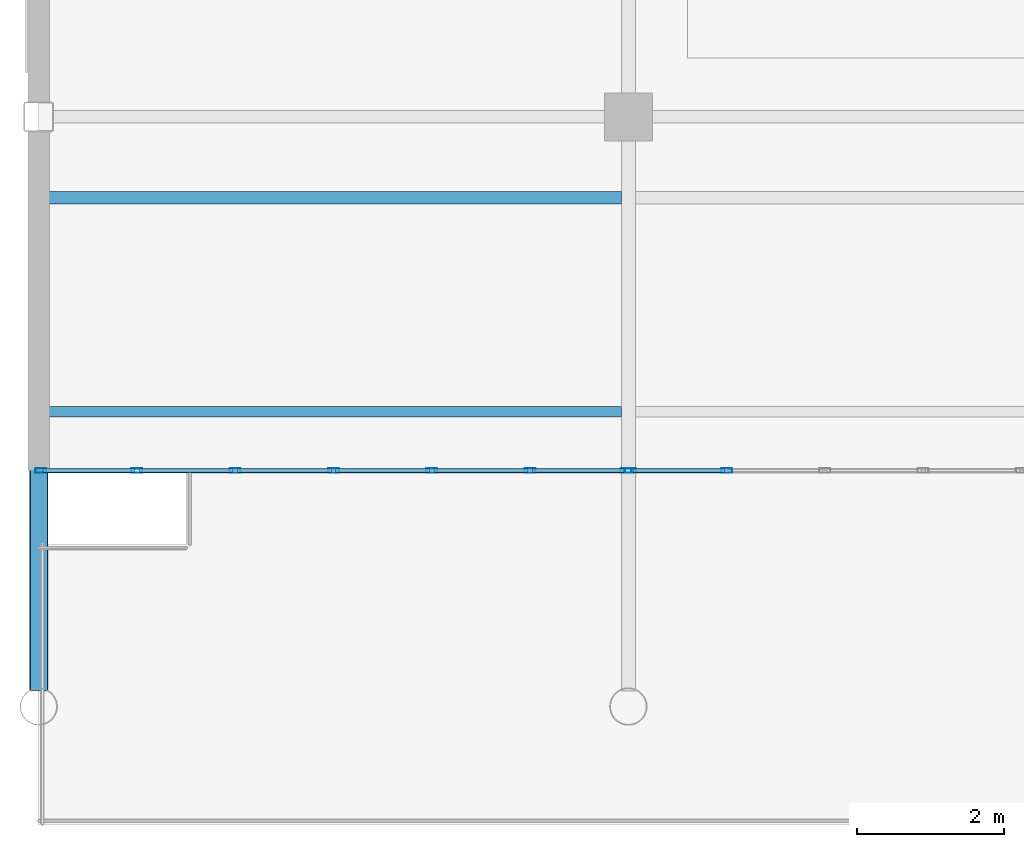
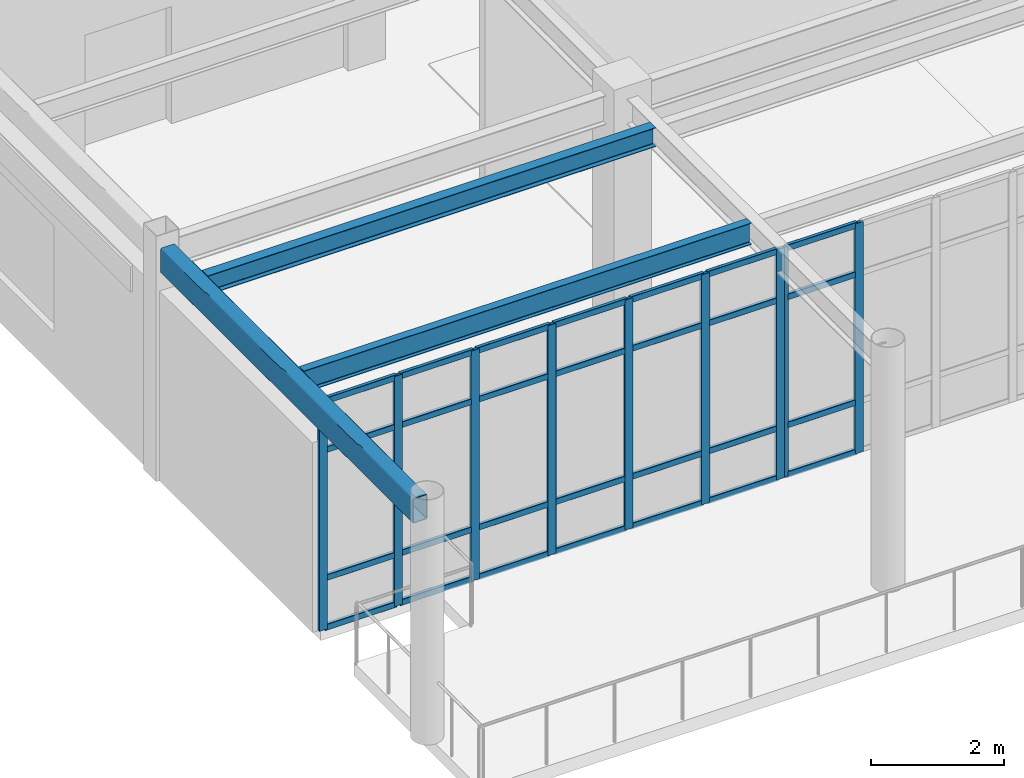
# One storey, part 32 of 75: 37 members, 3 beams, 2 elements without a shape of their own.
"""IFC4 building model written with IfcOpenShell, lengths in metres."""

from ifc_helpers import new_model, si_unit, direction, frame, origin, origin_2d, place, context, subcontext, project, spatial, hollow_rectangle, i_section, extrude, material, material_profile, profile_set, type_object, element, aggregate, save


model = new_model("IFC4")

# Units and contexts
model_context = context("Model", 3, precision=1e-05, world=origin(), true_north=direction((0.0, 1.0)))
body_context = subcontext(model_context, "Body", "Model", "MODEL_VIEW")
ifc_project = project(units=[si_unit("LENGTHUNIT", "METRE"), si_unit("AREAUNIT", "SQUARE_METRE"), si_unit("VOLUMEUNIT", "CUBIC_METRE"), si_unit("PLANEANGLEUNIT", "RADIAN"), si_unit("MASSUNIT", "GRAM", prefix="KILO")], contexts=[model_context])

# Site, building, storey
site_placement = place(None, origin())
site = spatial("IfcSite", under=ifc_project, at=site_placement, CompositionType="ELEMENT")
building_placement = place(site_placement, origin())
building = spatial("IfcBuilding", under=site, at=building_placement, Name="Solmirada Galleria", CompositionType="ELEMENT")
storey_placement = place(building_placement, frame((0.0, 0.0, 19.39990234375)))
storey = spatial("IfcBuildingStorey", under=building, at=storey_placement, Name="L04", CompositionType="ELEMENT", Elevation=19.39990234375)

# Beams
ifc_material_1 = material(Name="Steel S355 / ASTM A992 Grade 50", Category="steel")
ifc_material_profile_1 = material_profile(ifc_material_1, i_section(OverallWidth=0.1708984375, OverallDepth=0.35205078125, WebThickness=0.0068359375, FlangeThickness=0.009765625, FilletRadius=0.010986328125, at=origin_2d()), Name="W14X30")
ifc_profile_set_1 = profile_set([ifc_material_profile_1], Name="Steel S355 / ASTM A992 Grade 50")
beam_type_1 = type_object("IfcBeamType", Name="BM-JST-W14B", PredefinedType="JOIST", material=ifc_profile_set_1)
beam_1_placement = place(storey_placement, frame((40.126953125, 94.89990234375, 4.083984375), z_axis=(1.0, 0.0, 0.0), x_axis=(0.0, 1.0, 0.0)))
element("IfcBeam", 1, at=beam_1_placement, inside=storey, type_object=beam_type_1, Name="Terrace deck joist L05-TERR-NW X=40..48 (2)", PredefinedType="JOIST", context=body_context, shape_type="SweptSolid", body=[
    extrude(i_section(OverallWidth=0.1708984375, OverallDepth=0.35205078125, WebThickness=0.0068359375, FlangeThickness=0.009765625, FilletRadius=0.010986328125, at=origin_2d()), origin(), (0.0, 0.0, 1.0), 7.776611328125),
])
ifc_material_profile_2 = material_profile(ifc_material_1, i_section(OverallWidth=0.139892578125, OverallDepth=0.39892578125, WebThickness=0.00634765625, FlangeThickness=0.0087890625, FilletRadius=0.010986328125, at=origin_2d()), Name="W16X26")
ifc_profile_set_2 = profile_set([ifc_material_profile_2], Name="Steel S355 / ASTM A992 Grade 50")
beam_type_2 = type_object("IfcBeamType", Name="BM-JST-W16C", PredefinedType="JOIST", material=ifc_profile_set_2)
beam_2_placement = place(storey_placement, frame((40.126953125, 92.0, 4.060546875), z_axis=(1.0, 0.0, 0.0), x_axis=(0.0, 1.0, 0.0)))
element("IfcBeam", 2, at=beam_2_placement, inside=storey, type_object=beam_type_2, Name="Composite floor joist L05 (40..48, 92.0)", PredefinedType="JOIST", context=body_context, shape_type="SweptSolid", body=[
    extrude(i_section(OverallWidth=0.139892578125, OverallDepth=0.39892578125, WebThickness=0.00634765625, FlangeThickness=0.0087890625, FilletRadius=0.010986328125, at=origin_2d()), origin(), (0.0, 0.0, 1.0), 7.776611328125),
])
ifc_material_2 = material(Name="Steel S355 / ASTM A500 Grade C", Category="steel")
ifc_material_profile_3 = material_profile(ifc_material_2, hollow_rectangle(XDim=0.25390625, YDim=0.45703125, WallThickness=0.01171875, InnerFilletRadius=0.01171875, OuterFilletRadius=0.023681640625, at=origin_2d()), Name="HSS18X10X1/2")
ifc_profile_set_3 = profile_set([ifc_material_profile_3], Name="Steel S355 / ASTM A500 Grade C")
beam_type_3 = type_object("IfcBeamType", Name="BM-SPAND-W18", PredefinedType="SPANDREL", material=ifc_profile_set_3)
beam_3_placement = place(storey_placement, frame((40.0, 88.21337890625, 4.031494140625), z_axis=(0.0, 1.0, 0.0), x_axis=(-1.0, 0.0, 0.0)))
element("IfcBeam", 3, at=beam_3_placement, inside=storey, type_object=beam_type_3, Name="Primary girder L05 Y(40, 88..96)", PredefinedType="SPANDREL", context=body_context, shape_type="SweptSolid", body=[
    extrude(hollow_rectangle(XDim=0.25390625, YDim=0.45703125, WallThickness=0.01171875, InnerFilletRadius=0.01171875, OuterFilletRadius=0.023681640625, at=origin_2d()), origin(), (0.0, 0.0, 1.0), 7.583740234375),
])

# Curtain wall, members
ifc_material_3 = material(Name="Impact-resistant low-E double glazing", Category="glass")
curtain_wall_type = type_object("IfcCurtainWallType", Name="CW-FZ4-L04-B6-L080", PredefinedType="NOTDEFINED", material=ifc_material_3)
curtain_wall_1_placement = place(storey_placement, origin())
curtain_wall_1 = element("IfcCurtainWall", 4, at=curtain_wall_1_placement, inside=storey, type_object=curtain_wall_type, Name="Terrace and arcade storefront CW-L04-149", PredefinedType="NOTDEFINED")
ifc_material_4 = material(Name="Anodised aluminium framing", Category="aluminium")
ifc_material_profile_4 = material_profile(ifc_material_4, hollow_rectangle(XDim=0.06005859375, YDim=0.14990234375, WallThickness=0.00341796875, InnerFilletRadius=0.00341796875, OuterFilletRadius=0.007080078125, at=origin_2d()), Name="ALU-MULL-150X60")
ifc_profile_set_4 = profile_set([ifc_material_profile_4], Name="Anodised aluminium framing")
member_type_1 = type_object("IfcMemberType", Name="CW-MULL-150", PredefinedType="MULLION", material=ifc_profile_set_4)
member_1_placement = place(storey_placement, frame((49.333251953125, 91.199951171875, 0.0), z_axis=(0.0, 0.0, 1.0), x_axis=(0.0, -1.0, 0.0)))
member_1 = element("IfcMember", 5, at=member_1_placement, type_object=member_type_1, Name="CW31 mullion 6", PredefinedType="MULLION", context=body_context, shape_type="SweptSolid", body=[
    extrude(hollow_rectangle(XDim=0.06005859375, YDim=0.14990234375, WallThickness=0.00341796875, InnerFilletRadius=0.00341796875, OuterFilletRadius=0.007080078125, at=origin_2d()), origin(), (0.0, 0.0, 1.0), 4.22021484375),
])
member_2_placement = place(storey_placement, frame((48.030029296875, 91.199951171875, 0.0), z_axis=(0.0, 0.0, 1.0), x_axis=(0.0, -1.0, 0.0)))
member_2 = element("IfcMember", 6, at=member_2_placement, type_object=member_type_1, Name="CW31 mullion 7", PredefinedType="MULLION", context=body_context, shape_type="SweptSolid", body=[
    extrude(hollow_rectangle(XDim=0.06005859375, YDim=0.14990234375, WallThickness=0.00341796875, InnerFilletRadius=0.00341796875, OuterFilletRadius=0.007080078125, at=origin_2d()), origin(), (0.0, 0.0, 1.0), 4.22021484375),
])

curtain_wall_2_placement = place(storey_placement, origin())
curtain_wall_2 = element("IfcCurtainWall", 7, at=curtain_wall_2_placement, inside=storey, type_object=curtain_wall_type, Name="Terrace and arcade storefront CW-L04-150", PredefinedType="NOTDEFINED")
member_3_placement = place(storey_placement, frame((47.969970703125, 91.199951171875, 0.0), z_axis=(0.0, 0.0, 1.0), x_axis=(0.0, -1.0, 0.0)))
member_3 = element("IfcMember", 8, at=member_3_placement, type_object=member_type_1, Name="CW31 mullion 1", PredefinedType="MULLION", context=body_context, shape_type="SweptSolid", body=[
    extrude(hollow_rectangle(XDim=0.06005859375, YDim=0.14990234375, WallThickness=0.00341796875, InnerFilletRadius=0.00341796875, OuterFilletRadius=0.007080078125, at=origin_2d()), origin(), (0.0, 0.0, 1.0), 4.22021484375),
])
member_4_placement = place(storey_placement, frame((46.666748046875, 91.199951171875, 0.0), z_axis=(0.0, 0.0, 1.0), x_axis=(0.0, -1.0, 0.0)))
member_4 = element("IfcMember", 9, at=member_4_placement, type_object=member_type_1, Name="CW31 mullion 2", PredefinedType="MULLION", context=body_context, shape_type="SweptSolid", body=[
    extrude(hollow_rectangle(XDim=0.06005859375, YDim=0.14990234375, WallThickness=0.00341796875, InnerFilletRadius=0.00341796875, OuterFilletRadius=0.007080078125, at=origin_2d()), origin(), (0.0, 0.0, 1.0), 4.22021484375),
])
member_5_placement = place(storey_placement, frame((45.333251953125, 91.199951171875, 0.0), z_axis=(0.0, 0.0, 1.0), x_axis=(0.0, -1.0, 0.0)))
member_5 = element("IfcMember", 10, at=member_5_placement, type_object=member_type_1, Name="CW31 mullion 3", PredefinedType="MULLION", context=body_context, shape_type="SweptSolid", body=[
    extrude(hollow_rectangle(XDim=0.06005859375, YDim=0.14990234375, WallThickness=0.00341796875, InnerFilletRadius=0.00341796875, OuterFilletRadius=0.007080078125, at=origin_2d()), origin(), (0.0, 0.0, 1.0), 4.22021484375),
])
member_6_placement = place(storey_placement, frame((44.0, 91.199951171875, 0.0), z_axis=(0.0, 0.0, 1.0), x_axis=(0.0, -1.0, 0.0)))
member_6 = element("IfcMember", 11, at=member_6_placement, type_object=member_type_1, Name="CW31 mullion 4", PredefinedType="MULLION", context=body_context, shape_type="SweptSolid", body=[
    extrude(hollow_rectangle(XDim=0.06005859375, YDim=0.14990234375, WallThickness=0.00341796875, InnerFilletRadius=0.00341796875, OuterFilletRadius=0.007080078125, at=origin_2d()), origin(), (0.0, 0.0, 1.0), 4.22021484375),
])
member_7_placement = place(storey_placement, frame((42.666748046875, 91.199951171875, 0.0), z_axis=(0.0, 0.0, 1.0), x_axis=(0.0, -1.0, 0.0)))
member_7 = element("IfcMember", 12, at=member_7_placement, type_object=member_type_1, Name="CW31 mullion 5", PredefinedType="MULLION", context=body_context, shape_type="SweptSolid", body=[
    extrude(hollow_rectangle(XDim=0.06005859375, YDim=0.14990234375, WallThickness=0.00341796875, InnerFilletRadius=0.00341796875, OuterFilletRadius=0.007080078125, at=origin_2d()), origin(), (0.0, 0.0, 1.0), 4.22021484375),
])
member_8_placement = place(storey_placement, frame((41.333251953125, 91.199951171875, 0.0), z_axis=(0.0, 0.0, 1.0), x_axis=(0.0, -1.0, 0.0)))
member_8 = element("IfcMember", 13, at=member_8_placement, type_object=member_type_1, Name="CW31 mullion 6", PredefinedType="MULLION", context=body_context, shape_type="SweptSolid", body=[
    extrude(hollow_rectangle(XDim=0.06005859375, YDim=0.14990234375, WallThickness=0.00341796875, InnerFilletRadius=0.00341796875, OuterFilletRadius=0.007080078125, at=origin_2d()), origin(), (0.0, 0.0, 1.0), 4.22021484375),
])
member_9_placement = place(storey_placement, frame((40.030029296875, 91.199951171875, 0.0), z_axis=(0.0, 0.0, 1.0), x_axis=(0.0, -1.0, 0.0)))
member_9 = element("IfcMember", 14, at=member_9_placement, type_object=member_type_1, Name="CW31 mullion 7", PredefinedType="MULLION", context=body_context, shape_type="SweptSolid", body=[
    extrude(hollow_rectangle(XDim=0.06005859375, YDim=0.14990234375, WallThickness=0.00341796875, InnerFilletRadius=0.00341796875, OuterFilletRadius=0.007080078125, at=origin_2d()), origin(), (0.0, 0.0, 1.0), 4.22021484375),
])

# Member
ifc_material_profile_5 = material_profile(ifc_material_4, hollow_rectangle(XDim=0.06005859375, YDim=0.110107421875, WallThickness=0.003173828125, InnerFilletRadius=0.003173828125, OuterFilletRadius=0.00634765625, at=origin_2d()), Name="ALU-TRAN-110X60")
ifc_profile_set_5 = profile_set([ifc_material_profile_5], Name="Anodised aluminium framing")
member_type_2 = type_object("IfcMemberType", Name="CW-TRAN-110", PredefinedType="USERDEFINED", material=ifc_profile_set_5)
member_10_placement = place(storey_placement, frame((49.30322265625, 91.199951171875, 0.030029296875), z_axis=(-1.0, 0.0, 0.0), x_axis=(0.0, -1.0, 0.0)))
member_10 = element("IfcMember", 15, at=member_10_placement, type_object=member_type_2, Name="CW31 transom 6.1", ObjectType="TRANSOM", PredefinedType="USERDEFINED", context=body_context, shape_type="SweptSolid", body=[
    extrude(hollow_rectangle(XDim=0.06005859375, YDim=0.110107421875, WallThickness=0.003173828125, InnerFilletRadius=0.003173828125, OuterFilletRadius=0.00634765625, at=origin_2d()), origin(), (0.0, 0.0, 1.0), 1.2431640625),
])

member_11_placement = place(storey_placement, frame((49.30322265625, 91.199951171875, 0.940185546875), z_axis=(-1.0, 0.0, 0.0), x_axis=(0.0, -1.0, 0.0)))
member_11 = element("IfcMember", 16, at=member_11_placement, type_object=member_type_2, Name="CW31 transom 6.2", ObjectType="TRANSOM", PredefinedType="USERDEFINED", context=body_context, shape_type="SweptSolid", body=[
    extrude(hollow_rectangle(XDim=0.06005859375, YDim=0.110107421875, WallThickness=0.003173828125, InnerFilletRadius=0.003173828125, OuterFilletRadius=0.00634765625, at=origin_2d()), origin(), (0.0, 0.0, 1.0), 1.2431640625),
])

member_12_placement = place(storey_placement, frame((49.30322265625, 91.199951171875, 3.2900390625), z_axis=(-1.0, 0.0, 0.0), x_axis=(0.0, -1.0, 0.0)))
member_12 = element("IfcMember", 17, at=member_12_placement, type_object=member_type_2, Name="CW31 transom 6.3", ObjectType="TRANSOM", PredefinedType="USERDEFINED", context=body_context, shape_type="SweptSolid", body=[
    extrude(hollow_rectangle(XDim=0.06005859375, YDim=0.110107421875, WallThickness=0.003173828125, InnerFilletRadius=0.003173828125, OuterFilletRadius=0.00634765625, at=origin_2d()), origin(), (0.0, 0.0, 1.0), 1.2431640625),
])

member_13_placement = place(storey_placement, frame((49.30322265625, 91.199951171875, 4.190185546875), z_axis=(-1.0, 0.0, 0.0), x_axis=(0.0, -1.0, 0.0)))
member_13 = element("IfcMember", 18, at=member_13_placement, type_object=member_type_2, Name="CW31 transom 6.4", ObjectType="TRANSOM", PredefinedType="USERDEFINED", context=body_context, shape_type="SweptSolid", body=[
    extrude(hollow_rectangle(XDim=0.06005859375, YDim=0.110107421875, WallThickness=0.003173828125, InnerFilletRadius=0.003173828125, OuterFilletRadius=0.00634765625, at=origin_2d()), origin(), (0.0, 0.0, 1.0), 1.2431640625),
])

aggregate(curtain_wall_1, [member_1, member_2, member_10, member_11, member_12, member_13])

member_14_placement = place(storey_placement, frame((47.93994140625, 91.199951171875, 0.030029296875), z_axis=(-1.0, 0.0, 0.0), x_axis=(0.0, -1.0, 0.0)))
member_14 = element("IfcMember", 19, at=member_14_placement, type_object=member_type_2, Name="CW31 transom 1.1", ObjectType="TRANSOM", PredefinedType="USERDEFINED", context=body_context, shape_type="SweptSolid", body=[
    extrude(hollow_rectangle(XDim=0.06005859375, YDim=0.110107421875, WallThickness=0.003173828125, InnerFilletRadius=0.003173828125, OuterFilletRadius=0.00634765625, at=origin_2d()), origin(), (0.0, 0.0, 1.0), 1.2431640625),
])

member_15_placement = place(storey_placement, frame((47.93994140625, 91.199951171875, 0.940185546875), z_axis=(-1.0, 0.0, 0.0), x_axis=(0.0, -1.0, 0.0)))
member_15 = element("IfcMember", 20, at=member_15_placement, type_object=member_type_2, Name="CW31 transom 1.2", ObjectType="TRANSOM", PredefinedType="USERDEFINED", context=body_context, shape_type="SweptSolid", body=[
    extrude(hollow_rectangle(XDim=0.06005859375, YDim=0.110107421875, WallThickness=0.003173828125, InnerFilletRadius=0.003173828125, OuterFilletRadius=0.00634765625, at=origin_2d()), origin(), (0.0, 0.0, 1.0), 1.2431640625),
])

member_16_placement = place(storey_placement, frame((47.93994140625, 91.199951171875, 3.2900390625), z_axis=(-1.0, 0.0, 0.0), x_axis=(0.0, -1.0, 0.0)))
member_16 = element("IfcMember", 21, at=member_16_placement, type_object=member_type_2, Name="CW31 transom 1.3", ObjectType="TRANSOM", PredefinedType="USERDEFINED", context=body_context, shape_type="SweptSolid", body=[
    extrude(hollow_rectangle(XDim=0.06005859375, YDim=0.110107421875, WallThickness=0.003173828125, InnerFilletRadius=0.003173828125, OuterFilletRadius=0.00634765625, at=origin_2d()), origin(), (0.0, 0.0, 1.0), 1.2431640625),
])

member_17_placement = place(storey_placement, frame((47.93994140625, 91.199951171875, 4.190185546875), z_axis=(-1.0, 0.0, 0.0), x_axis=(0.0, -1.0, 0.0)))
member_17 = element("IfcMember", 22, at=member_17_placement, type_object=member_type_2, Name="CW31 transom 1.4", ObjectType="TRANSOM", PredefinedType="USERDEFINED", context=body_context, shape_type="SweptSolid", body=[
    extrude(hollow_rectangle(XDim=0.06005859375, YDim=0.110107421875, WallThickness=0.003173828125, InnerFilletRadius=0.003173828125, OuterFilletRadius=0.00634765625, at=origin_2d()), origin(), (0.0, 0.0, 1.0), 1.2431640625),
])

member_18_placement = place(storey_placement, frame((46.63671875, 91.199951171875, 0.030029296875), z_axis=(-1.0, 0.0, 0.0), x_axis=(0.0, -1.0, 0.0)))
member_18 = element("IfcMember", 23, at=member_18_placement, type_object=member_type_2, Name="CW31 transom 2.1", ObjectType="TRANSOM", PredefinedType="USERDEFINED", context=body_context, shape_type="SweptSolid", body=[
    extrude(hollow_rectangle(XDim=0.06005859375, YDim=0.110107421875, WallThickness=0.003173828125, InnerFilletRadius=0.003173828125, OuterFilletRadius=0.00634765625, at=origin_2d()), origin(), (0.0, 0.0, 1.0), 1.2734375),
])

member_19_placement = place(storey_placement, frame((46.63671875, 91.199951171875, 0.940185546875), z_axis=(-1.0, 0.0, 0.0), x_axis=(0.0, -1.0, 0.0)))
member_19 = element("IfcMember", 24, at=member_19_placement, type_object=member_type_2, Name="CW31 transom 2.2", ObjectType="TRANSOM", PredefinedType="USERDEFINED", context=body_context, shape_type="SweptSolid", body=[
    extrude(hollow_rectangle(XDim=0.06005859375, YDim=0.110107421875, WallThickness=0.003173828125, InnerFilletRadius=0.003173828125, OuterFilletRadius=0.00634765625, at=origin_2d()), origin(), (0.0, 0.0, 1.0), 1.2734375),
])

member_20_placement = place(storey_placement, frame((46.63671875, 91.199951171875, 3.2900390625), z_axis=(-1.0, 0.0, 0.0), x_axis=(0.0, -1.0, 0.0)))
member_20 = element("IfcMember", 25, at=member_20_placement, type_object=member_type_2, Name="CW31 transom 2.3", ObjectType="TRANSOM", PredefinedType="USERDEFINED", context=body_context, shape_type="SweptSolid", body=[
    extrude(hollow_rectangle(XDim=0.06005859375, YDim=0.110107421875, WallThickness=0.003173828125, InnerFilletRadius=0.003173828125, OuterFilletRadius=0.00634765625, at=origin_2d()), origin(), (0.0, 0.0, 1.0), 1.2734375),
])

member_21_placement = place(storey_placement, frame((46.63671875, 91.199951171875, 4.190185546875), z_axis=(-1.0, 0.0, 0.0), x_axis=(0.0, -1.0, 0.0)))
member_21 = element("IfcMember", 26, at=member_21_placement, type_object=member_type_2, Name="CW31 transom 2.4", ObjectType="TRANSOM", PredefinedType="USERDEFINED", context=body_context, shape_type="SweptSolid", body=[
    extrude(hollow_rectangle(XDim=0.06005859375, YDim=0.110107421875, WallThickness=0.003173828125, InnerFilletRadius=0.003173828125, OuterFilletRadius=0.00634765625, at=origin_2d()), origin(), (0.0, 0.0, 1.0), 1.2734375),
])

member_22_placement = place(storey_placement, frame((45.30322265625, 91.199951171875, 0.030029296875), z_axis=(-1.0, 0.0, 0.0), x_axis=(0.0, -1.0, 0.0)))
member_22 = element("IfcMember", 27, at=member_22_placement, type_object=member_type_2, Name="CW31 transom 3.1", ObjectType="TRANSOM", PredefinedType="USERDEFINED", context=body_context, shape_type="SweptSolid", body=[
    extrude(hollow_rectangle(XDim=0.06005859375, YDim=0.110107421875, WallThickness=0.003173828125, InnerFilletRadius=0.003173828125, OuterFilletRadius=0.00634765625, at=origin_2d()), origin(), (0.0, 0.0, 1.0), 1.273193359375),
])

member_23_placement = place(storey_placement, frame((45.30322265625, 91.199951171875, 0.940185546875), z_axis=(-1.0, 0.0, 0.0), x_axis=(0.0, -1.0, 0.0)))
member_23 = element("IfcMember", 28, at=member_23_placement, type_object=member_type_2, Name="CW31 transom 3.2", ObjectType="TRANSOM", PredefinedType="USERDEFINED", context=body_context, shape_type="SweptSolid", body=[
    extrude(hollow_rectangle(XDim=0.06005859375, YDim=0.110107421875, WallThickness=0.003173828125, InnerFilletRadius=0.003173828125, OuterFilletRadius=0.00634765625, at=origin_2d()), origin(), (0.0, 0.0, 1.0), 1.273193359375),
])

member_24_placement = place(storey_placement, frame((45.30322265625, 91.199951171875, 3.2900390625), z_axis=(-1.0, 0.0, 0.0), x_axis=(0.0, -1.0, 0.0)))
member_24 = element("IfcMember", 29, at=member_24_placement, type_object=member_type_2, Name="CW31 transom 3.3", ObjectType="TRANSOM", PredefinedType="USERDEFINED", context=body_context, shape_type="SweptSolid", body=[
    extrude(hollow_rectangle(XDim=0.06005859375, YDim=0.110107421875, WallThickness=0.003173828125, InnerFilletRadius=0.003173828125, OuterFilletRadius=0.00634765625, at=origin_2d()), origin(), (0.0, 0.0, 1.0), 1.273193359375),
])

member_25_placement = place(storey_placement, frame((45.30322265625, 91.199951171875, 4.190185546875), z_axis=(-1.0, 0.0, 0.0), x_axis=(0.0, -1.0, 0.0)))
member_25 = element("IfcMember", 30, at=member_25_placement, type_object=member_type_2, Name="CW31 transom 3.4", ObjectType="TRANSOM", PredefinedType="USERDEFINED", context=body_context, shape_type="SweptSolid", body=[
    extrude(hollow_rectangle(XDim=0.06005859375, YDim=0.110107421875, WallThickness=0.003173828125, InnerFilletRadius=0.003173828125, OuterFilletRadius=0.00634765625, at=origin_2d()), origin(), (0.0, 0.0, 1.0), 1.273193359375),
])

member_26_placement = place(storey_placement, frame((43.969970703125, 91.199951171875, 0.030029296875), z_axis=(-1.0, 0.0, 0.0), x_axis=(0.0, -1.0, 0.0)))
member_26 = element("IfcMember", 31, at=member_26_placement, type_object=member_type_2, Name="CW31 transom 4.1", ObjectType="TRANSOM", PredefinedType="USERDEFINED", context=body_context, shape_type="SweptSolid", body=[
    extrude(hollow_rectangle(XDim=0.06005859375, YDim=0.110107421875, WallThickness=0.003173828125, InnerFilletRadius=0.003173828125, OuterFilletRadius=0.00634765625, at=origin_2d()), origin(), (0.0, 0.0, 1.0), 1.273193359375),
])

member_27_placement = place(storey_placement, frame((43.969970703125, 91.199951171875, 0.940185546875), z_axis=(-1.0, 0.0, 0.0), x_axis=(0.0, -1.0, 0.0)))
member_27 = element("IfcMember", 32, at=member_27_placement, type_object=member_type_2, Name="CW31 transom 4.2", ObjectType="TRANSOM", PredefinedType="USERDEFINED", context=body_context, shape_type="SweptSolid", body=[
    extrude(hollow_rectangle(XDim=0.06005859375, YDim=0.110107421875, WallThickness=0.003173828125, InnerFilletRadius=0.003173828125, OuterFilletRadius=0.00634765625, at=origin_2d()), origin(), (0.0, 0.0, 1.0), 1.273193359375),
])

member_28_placement = place(storey_placement, frame((43.969970703125, 91.199951171875, 3.2900390625), z_axis=(-1.0, 0.0, 0.0), x_axis=(0.0, -1.0, 0.0)))
member_28 = element("IfcMember", 33, at=member_28_placement, type_object=member_type_2, Name="CW31 transom 4.3", ObjectType="TRANSOM", PredefinedType="USERDEFINED", context=body_context, shape_type="SweptSolid", body=[
    extrude(hollow_rectangle(XDim=0.06005859375, YDim=0.110107421875, WallThickness=0.003173828125, InnerFilletRadius=0.003173828125, OuterFilletRadius=0.00634765625, at=origin_2d()), origin(), (0.0, 0.0, 1.0), 1.273193359375),
])

member_29_placement = place(storey_placement, frame((43.969970703125, 91.199951171875, 4.190185546875), z_axis=(-1.0, 0.0, 0.0), x_axis=(0.0, -1.0, 0.0)))
member_29 = element("IfcMember", 34, at=member_29_placement, type_object=member_type_2, Name="CW31 transom 4.4", ObjectType="TRANSOM", PredefinedType="USERDEFINED", context=body_context, shape_type="SweptSolid", body=[
    extrude(hollow_rectangle(XDim=0.06005859375, YDim=0.110107421875, WallThickness=0.003173828125, InnerFilletRadius=0.003173828125, OuterFilletRadius=0.00634765625, at=origin_2d()), origin(), (0.0, 0.0, 1.0), 1.273193359375),
])

member_30_placement = place(storey_placement, frame((42.63671875, 91.199951171875, 0.030029296875), z_axis=(-1.0, 0.0, 0.0), x_axis=(0.0, -1.0, 0.0)))
member_30 = element("IfcMember", 35, at=member_30_placement, type_object=member_type_2, Name="CW31 transom 5.1", ObjectType="TRANSOM", PredefinedType="USERDEFINED", context=body_context, shape_type="SweptSolid", body=[
    extrude(hollow_rectangle(XDim=0.06005859375, YDim=0.110107421875, WallThickness=0.003173828125, InnerFilletRadius=0.003173828125, OuterFilletRadius=0.00634765625, at=origin_2d()), origin(), (0.0, 0.0, 1.0), 1.2734375),
])

member_31_placement = place(storey_placement, frame((42.63671875, 91.199951171875, 0.940185546875), z_axis=(-1.0, 0.0, 0.0), x_axis=(0.0, -1.0, 0.0)))
member_31 = element("IfcMember", 36, at=member_31_placement, type_object=member_type_2, Name="CW31 transom 5.2", ObjectType="TRANSOM", PredefinedType="USERDEFINED", context=body_context, shape_type="SweptSolid", body=[
    extrude(hollow_rectangle(XDim=0.06005859375, YDim=0.110107421875, WallThickness=0.003173828125, InnerFilletRadius=0.003173828125, OuterFilletRadius=0.00634765625, at=origin_2d()), origin(), (0.0, 0.0, 1.0), 1.2734375),
])

member_32_placement = place(storey_placement, frame((42.63671875, 91.199951171875, 3.2900390625), z_axis=(-1.0, 0.0, 0.0), x_axis=(0.0, -1.0, 0.0)))
member_32 = element("IfcMember", 37, at=member_32_placement, type_object=member_type_2, Name="CW31 transom 5.3", ObjectType="TRANSOM", PredefinedType="USERDEFINED", context=body_context, shape_type="SweptSolid", body=[
    extrude(hollow_rectangle(XDim=0.06005859375, YDim=0.110107421875, WallThickness=0.003173828125, InnerFilletRadius=0.003173828125, OuterFilletRadius=0.00634765625, at=origin_2d()), origin(), (0.0, 0.0, 1.0), 1.2734375),
])

member_33_placement = place(storey_placement, frame((42.63671875, 91.199951171875, 4.190185546875), z_axis=(-1.0, 0.0, 0.0), x_axis=(0.0, -1.0, 0.0)))
member_33 = element("IfcMember", 38, at=member_33_placement, type_object=member_type_2, Name="CW31 transom 5.4", ObjectType="TRANSOM", PredefinedType="USERDEFINED", context=body_context, shape_type="SweptSolid", body=[
    extrude(hollow_rectangle(XDim=0.06005859375, YDim=0.110107421875, WallThickness=0.003173828125, InnerFilletRadius=0.003173828125, OuterFilletRadius=0.00634765625, at=origin_2d()), origin(), (0.0, 0.0, 1.0), 1.2734375),
])

member_34_placement = place(storey_placement, frame((41.30322265625, 91.199951171875, 0.030029296875), z_axis=(-1.0, 0.0, 0.0), x_axis=(0.0, -1.0, 0.0)))
member_34 = element("IfcMember", 39, at=member_34_placement, type_object=member_type_2, Name="CW31 transom 6.1", ObjectType="TRANSOM", PredefinedType="USERDEFINED", context=body_context, shape_type="SweptSolid", body=[
    extrude(hollow_rectangle(XDim=0.06005859375, YDim=0.110107421875, WallThickness=0.003173828125, InnerFilletRadius=0.003173828125, OuterFilletRadius=0.00634765625, at=origin_2d()), origin(), (0.0, 0.0, 1.0), 1.2431640625),
])

member_35_placement = place(storey_placement, frame((41.30322265625, 91.199951171875, 0.940185546875), z_axis=(-1.0, 0.0, 0.0), x_axis=(0.0, -1.0, 0.0)))
member_35 = element("IfcMember", 40, at=member_35_placement, type_object=member_type_2, Name="CW31 transom 6.2", ObjectType="TRANSOM", PredefinedType="USERDEFINED", context=body_context, shape_type="SweptSolid", body=[
    extrude(hollow_rectangle(XDim=0.06005859375, YDim=0.110107421875, WallThickness=0.003173828125, InnerFilletRadius=0.003173828125, OuterFilletRadius=0.00634765625, at=origin_2d()), origin(), (0.0, 0.0, 1.0), 1.2431640625),
])

member_36_placement = place(storey_placement, frame((41.30322265625, 91.199951171875, 3.2900390625), z_axis=(-1.0, 0.0, 0.0), x_axis=(0.0, -1.0, 0.0)))
member_36 = element("IfcMember", 41, at=member_36_placement, type_object=member_type_2, Name="CW31 transom 6.3", ObjectType="TRANSOM", PredefinedType="USERDEFINED", context=body_context, shape_type="SweptSolid", body=[
    extrude(hollow_rectangle(XDim=0.06005859375, YDim=0.110107421875, WallThickness=0.003173828125, InnerFilletRadius=0.003173828125, OuterFilletRadius=0.00634765625, at=origin_2d()), origin(), (0.0, 0.0, 1.0), 1.2431640625),
])

member_37_placement = place(storey_placement, frame((41.30322265625, 91.199951171875, 4.190185546875), z_axis=(-1.0, 0.0, 0.0), x_axis=(0.0, -1.0, 0.0)))
member_37 = element("IfcMember", 42, at=member_37_placement, type_object=member_type_2, Name="CW31 transom 6.4", ObjectType="TRANSOM", PredefinedType="USERDEFINED", context=body_context, shape_type="SweptSolid", body=[
    extrude(hollow_rectangle(XDim=0.06005859375, YDim=0.110107421875, WallThickness=0.003173828125, InnerFilletRadius=0.003173828125, OuterFilletRadius=0.00634765625, at=origin_2d()), origin(), (0.0, 0.0, 1.0), 1.2431640625),
])

aggregate(curtain_wall_2, [member_3, member_4, member_5, member_6, member_7, member_8, member_9, member_14, member_15, member_16, member_17, member_18, member_19, member_20, member_21, member_22, member_23, member_24, member_25, member_26, member_27, member_28, member_29, member_30, member_31, member_32, member_33, member_34, member_35, member_36, member_37])

save(model, "model.ifc")
